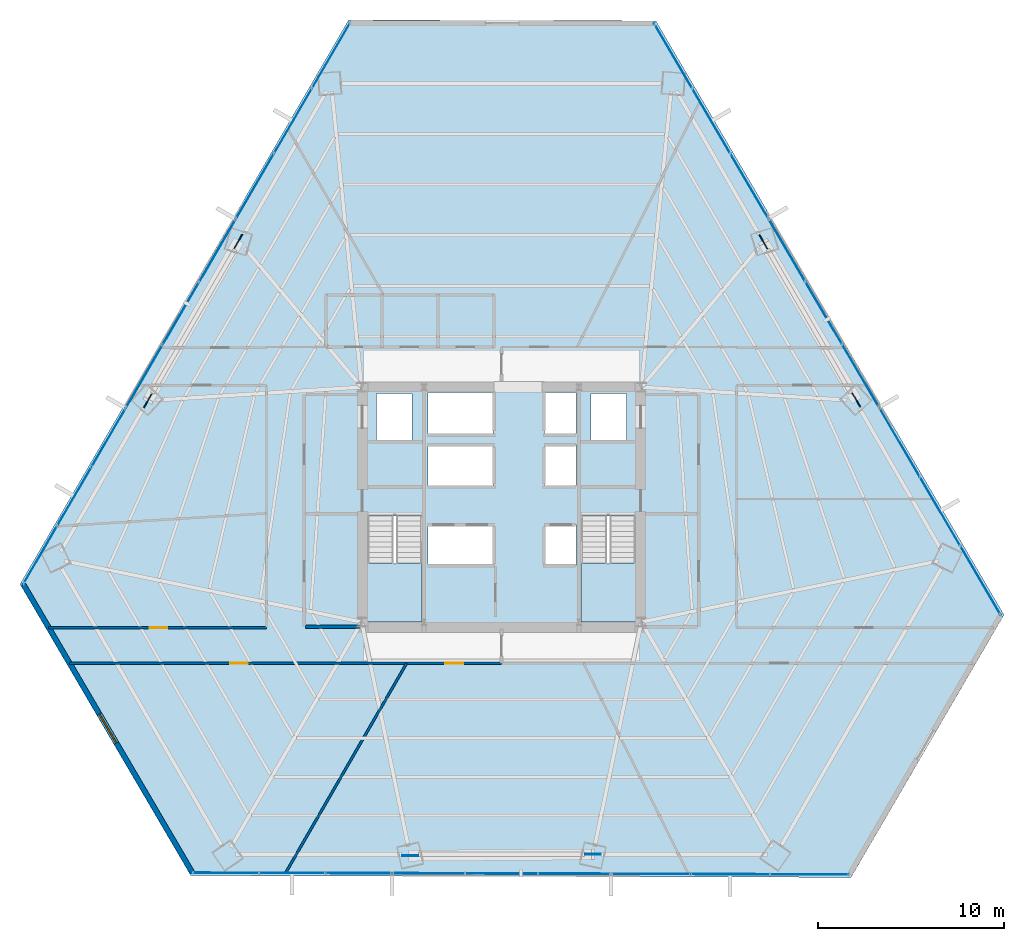
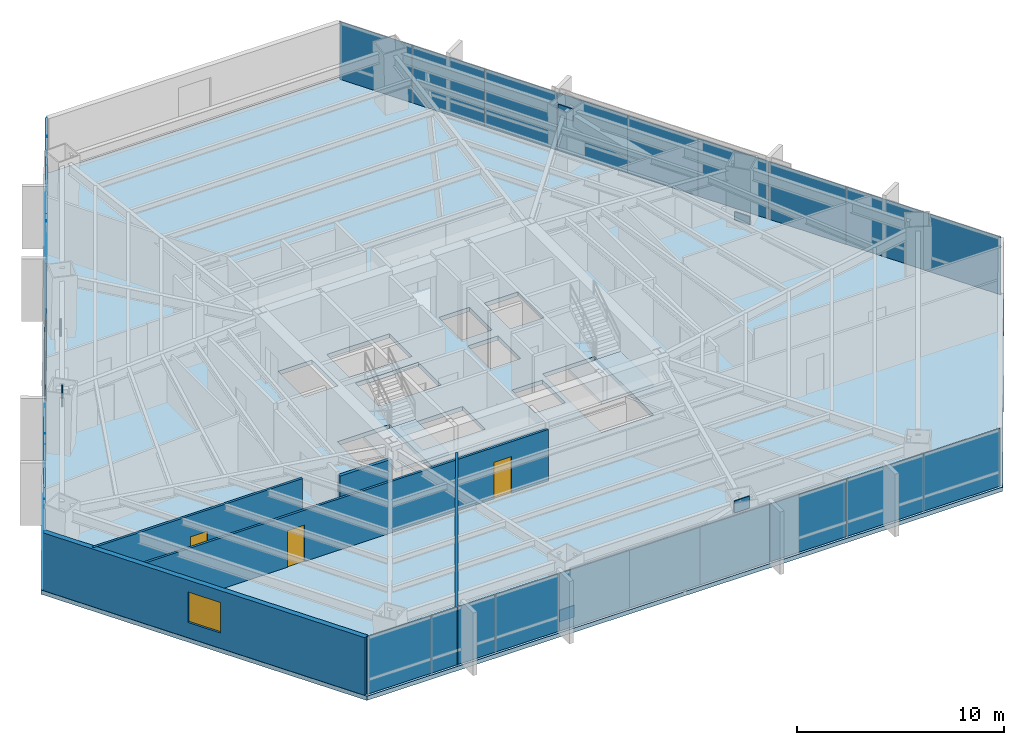
# One storey, part 23 of 29: 33 plates, 6 walls, 3 doors, 3 slabs, 1 window, 4 openings, 11 elements without a shape of their own.
"""IFC4 building model written with IfcOpenShell, lengths in metres."""

from ifc_helpers import new_model, si_unit, direction, frame, frame_2d, origin, origin_2d, place, context, subcontext, project, spatial, polyline, rectangle, outline, extrude, source, transform, mapped, material, layer, layer_set, type_object, type_shapes, element, fill, aggregate, save


model = new_model("IFC4")

# Units and contexts
model_context = context("Model", 3, precision=1e-05, world=origin(), true_north=direction((0.0, 1.0)))
body_context = subcontext(model_context, "Body", "Model", "MODEL_VIEW")
ifc_project = project(units=[si_unit("LENGTHUNIT", "METRE"), si_unit("AREAUNIT", "SQUARE_METRE"), si_unit("VOLUMEUNIT", "CUBIC_METRE"), si_unit("PLANEANGLEUNIT", "RADIAN"), si_unit("MASSUNIT", "GRAM", prefix="KILO")], contexts=[model_context])

# Site, building, storey
site_placement = place(None, origin())
site = spatial("IfcSite", under=ifc_project, at=site_placement, CompositionType="ELEMENT")
building_placement = place(site_placement, origin())
building = spatial("IfcBuilding", under=site, at=building_placement, Name="Caelisora Broadcast Tower", CompositionType="ELEMENT")
storey_placement = place(building_placement, frame((0.0, 0.0, 31.25)))
storey = spatial("IfcBuildingStorey", under=building, at=storey_placement, Name="L07", CompositionType="ELEMENT", Elevation=31.25)

# Slab
ifc_material_1 = material(Name="Concrete 40 MPa (AS 3600 N40)", Category="concrete")
ifc_layer_1 = layer(ifc_material_1, 0.25, Name="Concrete 40 MPa (AS 3600 N40)")
ifc_layer_set_1 = layer_set([ifc_layer_1], Name="Concrete 40 MPa (AS 3600 N40)")
slab_type_1 = type_object("IfcSlabType", Name="SL04", PredefinedType="FLOOR", material=ifc_layer_set_1)
slab_1_placement = place(storey_placement, frame((0.0, 0.0, -0.25)))
element("IfcSlab", 1, at=slab_1_placement, inside=storey, type_object=slab_type_1, Name="L07 suspended floor SL04", PredefinedType="FLOOR", context=body_context, shape_type="SweptSolid", body=[
    extrude(outline(polyline([(46.278076171875, 49.639892578125), (29.801025390625, 49.68505859375), (12.180908203125, 19.431884765625), (21.339111328125, 3.805908203125), (56.7470703125, 3.708984375), (64.946044921875, 17.787109375), (46.278076171875, 49.639892578125)]), holes=[polyline([(30.820068359375, 17.39990234375), (33.739990234375, 17.39990234375), (33.739990234375, 23.080078125), (30.820068359375, 23.080078125), (30.820068359375, 17.39990234375)]), polyline([(42.260009765625, 17.39990234375), (45.179931640625, 17.39990234375), (45.179931640625, 23.080078125), (42.260009765625, 23.080078125), (42.260009765625, 17.39990234375)]), polyline([(42.800048828125, 27.14990234375), (44.699951171875, 27.14990234375), (44.699951171875, 29.64990234375), (42.800048828125, 29.64990234375), (42.800048828125, 27.14990234375)]), polyline([(40.300048828125, 20.429931640625), (42.0, 20.429931640625), (42.0, 22.6298828125), (40.300048828125, 22.6298828125), (40.300048828125, 20.429931640625)]), polyline([(40.300048828125, 24.719970703125), (42.0, 24.719970703125), (42.0, 26.919921875), (40.300048828125, 26.919921875), (40.300048828125, 24.719970703125)]), polyline([(40.300048828125, 27.5), (42.0, 27.5), (42.0, 29.699951171875), (40.300048828125, 29.699951171875), (40.300048828125, 27.5)]), polyline([(34.050048828125, 20.429931640625), (37.550048828125, 20.429931640625), (37.550048828125, 22.6298828125), (34.050048828125, 22.6298828125), (34.050048828125, 20.429931640625)]), polyline([(34.050048828125, 24.719970703125), (37.550048828125, 24.719970703125), (37.550048828125, 26.919921875), (34.050048828125, 26.919921875), (34.050048828125, 24.719970703125)]), polyline([(34.050048828125, 27.5), (37.550048828125, 27.5), (37.550048828125, 29.699951171875), (34.050048828125, 29.699951171875), (34.050048828125, 27.5)]), polyline([(31.300048828125, 27.14990234375), (33.199951171875, 27.14990234375), (33.199951171875, 29.64990234375), (31.300048828125, 29.64990234375), (31.300048828125, 27.14990234375)])]), origin(), (0.0, 0.0, 1.0), 0.25),
])

# Stair, slab
stair_type_1 = type_object("IfcStairType", Name="ST-1", PredefinedType="HALF_TURN_STAIR", material=ifc_material_1)
stair_1_placement = place(storey_placement, origin())
stair_1 = element("IfcStair", 2, at=stair_1_placement, inside=storey, type_object=stair_type_1, Name="L07 West Fire-Isolated Tower Stair", PredefinedType="HALF_TURN_STAIR")
ifc_layer_2 = layer(ifc_material_1, 0.199951171875, Name="Concrete 40 MPa (AS 3600 N40)")
ifc_layer_set_2 = layer_set([ifc_layer_2], Name="Concrete 40 MPa (AS 3600 N40)")
slab_type_2 = type_object("IfcSlabType", Name="STL-1", PredefinedType="LANDING", material=ifc_layer_set_2)
slab_2_placement = place(storey_placement, frame((0.0, 0.0, 1.625)))
slab_2 = element("IfcSlab", 3, at=slab_2_placement, type_object=slab_type_2, Name="ST-1 landing 1", PredefinedType="LANDING", context=body_context, shape_type="SweptSolid", body=[
    extrude(outline(polyline([(30.820068359375, 20.580078125), (30.820068359375, 17.39990234375), (33.739990234375, 17.39990234375), (33.739990234375, 20.580078125), (30.820068359375, 20.580078125)])), origin(), (0.0, 0.0, 1.0), 0.199951171875),
])
aggregate(stair_1, [slab_2])

stair_type_2 = type_object("IfcStairType", Name="ST-2", PredefinedType="HALF_TURN_STAIR", material=ifc_material_1)
stair_2_placement = place(storey_placement, origin())
stair_2 = element("IfcStair", 4, at=stair_2_placement, inside=storey, type_object=stair_type_2, Name="L07 East Fire-Isolated Tower Stair", PredefinedType="HALF_TURN_STAIR")
slab_3_placement = place(storey_placement, frame((0.0, 0.0, 1.625)))
slab_3 = element("IfcSlab", 5, at=slab_3_placement, type_object=slab_type_2, Name="ST-2 landing 1", PredefinedType="LANDING", context=body_context, shape_type="SweptSolid", body=[
    extrude(outline(polyline([(42.260009765625, 20.580078125), (42.260009765625, 17.39990234375), (45.179931640625, 17.39990234375), (45.179931640625, 20.580078125), (42.260009765625, 20.580078125)])), origin(), (0.0, 0.0, 1.0), 0.199951171875),
])
aggregate(stair_2, [slab_3])

# Plates
ifc_material_2 = material(Name="Steel Grade 350 L15 (AS/NZS 3678)", Category="steel")
ifc_layer_3 = layer(ifc_material_2, 0.050048828125, Name="Steel Grade 350 L15 (AS/NZS 3678)")
ifc_layer_set_3 = layer_set([ifc_layer_3], Name="Steel Grade 350 L15 (AS/NZS 3678)")
plate_type_1 = type_object("IfcPlateType", Name="GP03", PredefinedType="USERDEFINED", material=ifc_layer_set_3)
shared_shape_1 = source(origin(), body_context, "Body", "SweptSolid", [
    extrude(rectangle(XDim=0.85009765625, YDim=0.050048828125, at=origin_2d()), origin(), (0.0, 0.0, 1.0), 0.699951171875),
])
type_shapes(plate_type_1, [shared_shape_1])
for number, where, z_axis, x_axis, name in (
    (6, (23.8818359375, 37.802001953125, -0.22998046875), (0.0, 0.0, 1.0), (-0.5, -0.866025403784, 0.0), "L07 gusset plate GP03 (ND-L07-C02B)"),
    (7, (19.04248046875, 29.275390625, 2.72998046875), (0.0, 0.0, 1.0), (-0.5, -0.866025403784, 0.0), "L07 gusset plate GP03 (ND-L07-C03T)"),
    (8, (33.106201171875, 4.872314453125, -0.22998046875), (0.0, 0.0, 1.0), (1.0, 0.0, 0.0), "L07 gusset plate GP03 (ND-L07-C06B)"),
    (9, (42.91015625, 4.944580078125, 2.72998046875), (0.0, 0.0, 1.0), (1.0, 0.0, 0.0), "L07 gusset plate GP03 (ND-L07-C07T)"),
    (10, (57.011962890625, 29.32568359375, -0.22998046875), (0.0, 0.0, 1.0), (-0.5, 0.866025403784, 0.0), "L07 gusset plate GP03 (ND-L07-C10B)"),
    (11, (52.04736328125, 37.780029296875, 2.72998046875), (0.0, 0.0, 1.0), (-0.5, 0.866025403784, 0.0), "L07 gusset plate GP03 (ND-L07-C11T)"),
):
    element("IfcPlate", number, at=place(storey_placement, frame(where, z_axis=z_axis, x_axis=x_axis)), inside=storey, type_object=plate_type_1, Name=name, ObjectType="GUSSET PLATE", PredefinedType="USERDEFINED", context=body_context, shape_type="MappedRepresentation", body=[
        mapped(shared_shape_1, transform((0.0, 0.0, 0.0), scale=1.0)),
    ])

# Curtain wall, plates
ifc_material_3 = material(Name="Unitised Aluminium and Low-E Glass Curtain Wall", Category="glass")
curtain_wall_type_1 = type_object("IfcCurtainWallType", Name="CW-Z1", PredefinedType="NOTDEFINED", material=ifc_material_3)
curtain_wall_1_placement = place(storey_placement, origin())
curtain_wall_1 = element("IfcCurtainWall", 12, at=curtain_wall_1_placement, inside=storey, type_object=curtain_wall_type_1, Name="L07 curtain wall CW-Z1", PredefinedType="NOTDEFINED")
ifc_material_4 = material(Name="Double Glazed Low-E Argon IGU", Category="glass")
ifc_layer_4 = layer(ifc_material_4, 0.035888671875, Name="Double Glazed Low-E Argon IGU")
ifc_layer_set_4 = layer_set([ifc_layer_4], Name="Double Glazed Low-E Argon IGU")
plate_type_2 = type_object("IfcPlateType", Name="CWP-02", PredefinedType="CURTAIN_PANEL", material=ifc_layer_set_4)
shared_shape_2 = source(origin(), body_context, "Body", "SweptSolid", [
    extrude(rectangle(XDim=4.033447265625, YDim=0.035888671875, at=origin_2d()), origin(), (0.0, 0.0, 1.0), 3.39990234375),
])
plate_1_placement = place(storey_placement, frame((47.211669921875, 47.75, 0.0), z_axis=(0.0, 0.0, 1.0), x_axis=(0.505582083675, -0.862778509623, 0.0)))
plate_1 = element("IfcPlate", 13, at=plate_1_placement, type_object=plate_type_2, Name="L07-CW-B01 glazed panel #1", PredefinedType="CURTAIN_PANEL", context=body_context, shape_type="MappedRepresentation", body=[
    mapped(shared_shape_2, transform((0.0, 0.0, 0.0), scale=1.0)),
])
plate_2_placement = place(storey_placement, frame((49.251220703125, 44.270263671875, 0.0), z_axis=(0.0, 0.0, 1.0), x_axis=(0.505582083675, -0.862778509623, 0.0)))
plate_2 = element("IfcPlate", 14, at=plate_2_placement, type_object=plate_type_2, Name="L07-CW-B01 glazed panel #2", PredefinedType="CURTAIN_PANEL", context=body_context, shape_type="MappedRepresentation", body=[
    mapped(shared_shape_2, transform((0.0, 0.0, 0.0), scale=1.0)),
])
plate_3_placement = place(storey_placement, frame((51.29052734375, 40.790283203125, 0.0), z_axis=(0.0, 0.0, 1.0), x_axis=(0.505582083675, -0.862778509623, 0.0)))
plate_3 = element("IfcPlate", 15, at=plate_3_placement, type_object=plate_type_2, Name="L07-CW-B01 glazed panel #3", PredefinedType="CURTAIN_PANEL", context=body_context, shape_type="MappedRepresentation", body=[
    mapped(shared_shape_2, transform((0.0, 0.0, 0.0), scale=1.0)),
])
aggregate(curtain_wall_1, [plate_1, plate_2, plate_3])

ifc_material_5 = material(Name="Unitised Aluminium Insulated Shadow-Box Spandrel Curtain Wall", Category="aluminium")
curtain_wall_type_2 = type_object("IfcCurtainWallType", Name="CW-SP1", PredefinedType="NOTDEFINED", material=ifc_material_5)
curtain_wall_2_placement = place(storey_placement, origin())
curtain_wall_2 = element("IfcCurtainWall", 16, at=curtain_wall_2_placement, inside=storey, type_object=curtain_wall_type_2, Name="L07 curtain wall CW-SP1", PredefinedType="NOTDEFINED")
ifc_material_6 = material(Name="Insulated Terracotta Shadow-Box Spandrel Panel", Category="aluminium")
ifc_layer_5 = layer(ifc_material_6, 0.0439453125, Name="Insulated Terracotta Shadow-Box Spandrel Panel")
ifc_layer_set_5 = layer_set([ifc_layer_5], Name="Insulated Terracotta Shadow-Box Spandrel Panel")
plate_type_3 = type_object("IfcPlateType", Name="CWP-10", PredefinedType="CURTAIN_PANEL", material=ifc_layer_set_5)
shared_shape_3 = source(origin(), body_context, "Body", "SweptSolid", [
    extrude(rectangle(XDim=3.9091796875, YDim=0.0439453125, at=origin_2d()), origin(), (0.0, 0.0, 1.0), 3.39990234375),
])
type_shapes(plate_type_3, [shared_shape_3])
plate_4_placement = place(storey_placement, frame((53.3037109375, 37.35546875, 0.0), z_axis=(0.0, 0.0, 1.0), x_axis=(0.505582083675, -0.862778509623, 0.0)))
plate_4 = element("IfcPlate", 17, at=plate_4_placement, type_object=plate_type_3, Name="L07-CW-B02 spandrel panel #1", PredefinedType="CURTAIN_PANEL", context=body_context, shape_type="MappedRepresentation", body=[
    mapped(shared_shape_3, transform((0.0, 0.0, 0.0), scale=1.0)),
])
plate_5_placement = place(storey_placement, frame((55.2802734375, 33.98291015625, 0.0), z_axis=(0.0, 0.0, 1.0), x_axis=(0.505582083675, -0.862778509623, 0.0)))
plate_5 = element("IfcPlate", 18, at=plate_5_placement, type_object=plate_type_3, Name="L07-CW-B02 spandrel panel #2", PredefinedType="CURTAIN_PANEL", context=body_context, shape_type="MappedRepresentation", body=[
    mapped(shared_shape_3, transform((0.0, 0.0, 0.0), scale=1.0)),
])
plate_6_placement = place(storey_placement, frame((57.256591796875, 30.6103515625, 0.0), z_axis=(0.0, 0.0, 1.0), x_axis=(0.505582083675, -0.862778509623, 0.0)))
plate_6 = element("IfcPlate", 19, at=plate_6_placement, type_object=plate_type_3, Name="L07-CW-B02 spandrel panel #3", PredefinedType="CURTAIN_PANEL", context=body_context, shape_type="MappedRepresentation", body=[
    mapped(shared_shape_3, transform((0.0, 0.0, 0.0), scale=1.0)),
])
aggregate(curtain_wall_2, [plate_4, plate_5, plate_6])

curtain_wall_3_placement = place(storey_placement, origin())
curtain_wall_3 = element("IfcCurtainWall", 20, at=curtain_wall_3_placement, inside=storey, type_object=curtain_wall_type_2, Name="L07 curtain wall CW-SP1", PredefinedType="NOTDEFINED")
plate_7_placement = place(storey_placement, frame((41.906494140625, 3.899658203125, 0.0), z_axis=(0.0, 0.0, 1.0), x_axis=(-0.9999961009, 0.002792523174, 0.0)))
plate_7 = element("IfcPlate", 21, at=plate_7_placement, type_object=plate_type_3, Name="L07-CW-B06 spandrel panel #1", PredefinedType="CURTAIN_PANEL", context=body_context, shape_type="MappedRepresentation", body=[
    mapped(shared_shape_3, transform((0.0, 0.0, 0.0), scale=1.0)),
])
plate_8_placement = place(storey_placement, frame((37.997314453125, 3.910400390625, 0.0), z_axis=(0.0, 0.0, 1.0), x_axis=(-0.9999961009, 0.002792523174, 0.0)))
plate_8 = element("IfcPlate", 22, at=plate_8_placement, type_object=plate_type_3, Name="L07-CW-B06 spandrel panel #2", PredefinedType="CURTAIN_PANEL", context=body_context, shape_type="MappedRepresentation", body=[
    mapped(shared_shape_3, transform((0.0, 0.0, 0.0), scale=1.0)),
])
plate_9_placement = place(storey_placement, frame((34.088134765625, 3.921142578125, 0.0), z_axis=(0.0, 0.0, 1.0), x_axis=(-0.9999961009, 0.002792523174, 0.0)))
plate_9 = element("IfcPlate", 23, at=plate_9_placement, type_object=plate_type_3, Name="L07-CW-B06 spandrel panel #3", PredefinedType="CURTAIN_PANEL", context=body_context, shape_type="MappedRepresentation", body=[
    mapped(shared_shape_3, transform((0.0, 0.0, 0.0), scale=1.0)),
])
aggregate(curtain_wall_3, [plate_7, plate_8, plate_9])

curtain_wall_4_placement = place(storey_placement, origin())
curtain_wall_4 = element("IfcCurtainWall", 24, at=curtain_wall_4_placement, inside=storey, type_object=curtain_wall_type_2, Name="L07 curtain wall CW-SP1", PredefinedType="NOTDEFINED")
plate_10_placement = place(storey_placement, frame((18.833251953125, 30.555419921875, 0.0), z_axis=(0.0, 0.0, 1.0), x_axis=(0.503321604797, 0.864099162217, 0.0)))
plate_10 = element("IfcPlate", 25, at=plate_10_placement, type_object=plate_type_3, Name="L07-CW-B10 spandrel panel #1", PredefinedType="CURTAIN_PANEL", context=body_context, shape_type="MappedRepresentation", body=[
    mapped(shared_shape_3, transform((0.0, 0.0, 0.0), scale=1.0)),
])
plate_11_placement = place(storey_placement, frame((20.800537109375, 33.933349609375, 0.0), z_axis=(0.0, 0.0, 1.0), x_axis=(0.503321604797, 0.864099162217, 0.0)))
plate_11 = element("IfcPlate", 26, at=plate_11_placement, type_object=plate_type_3, Name="L07-CW-B10 spandrel panel #2", PredefinedType="CURTAIN_PANEL", context=body_context, shape_type="MappedRepresentation", body=[
    mapped(shared_shape_3, transform((0.0, 0.0, 0.0), scale=1.0)),
])
plate_12_placement = place(storey_placement, frame((22.767822265625, 37.311279296875, 0.0), z_axis=(0.0, 0.0, 1.0), x_axis=(0.503321604797, 0.864099162217, 0.0)))
plate_12 = element("IfcPlate", 27, at=plate_12_placement, type_object=plate_type_3, Name="L07-CW-B10 spandrel panel #3", PredefinedType="CURTAIN_PANEL", context=body_context, shape_type="MappedRepresentation", body=[
    mapped(shared_shape_3, transform((0.0, 0.0, 0.0), scale=1.0)),
])
aggregate(curtain_wall_4, [plate_10, plate_11, plate_12])

curtain_wall_5_placement = place(storey_placement, origin())
curtain_wall_5 = element("IfcCurtainWall", 28, at=curtain_wall_5_placement, inside=storey, type_object=curtain_wall_type_1, Name="L07 curtain wall CW-Z1", PredefinedType="NOTDEFINED")
shared_shape_4 = source(origin(), body_context, "Body", "SweptSolid", [
    extrude(rectangle(XDim=4.299560546875, YDim=0.035888671875, at=origin_2d()), origin(), (0.0, 0.0, 1.0), 3.39990234375),
])
plate_13_placement = place(storey_placement, frame((59.3369140625, 27.060546875, 0.0), z_axis=(0.0, 0.0, 1.0), x_axis=(0.505582083675, -0.862778509623, 0.0)))
plate_13 = element("IfcPlate", 29, at=plate_13_placement, type_object=plate_type_2, Name="L07-CW-B03 glazed panel #1", PredefinedType="CURTAIN_PANEL", context=body_context, shape_type="MappedRepresentation", body=[
    mapped(shared_shape_4, transform((0.0, 0.0, 0.0), scale=1.0)),
])
plate_14_placement = place(storey_placement, frame((61.510986328125, 23.351318359375, 0.0), z_axis=(0.0, 0.0, 1.0), x_axis=(0.505582083675, -0.862778509623, 0.0)))
plate_14 = element("IfcPlate", 30, at=plate_14_placement, type_object=plate_type_2, Name="L07-CW-B03 glazed panel #2", PredefinedType="CURTAIN_PANEL", context=body_context, shape_type="MappedRepresentation", body=[
    mapped(shared_shape_4, transform((0.0, 0.0, 0.0), scale=1.0)),
])
plate_15_placement = place(storey_placement, frame((63.68505859375, 19.6416015625, 0.0), z_axis=(0.0, 0.0, 1.0), x_axis=(0.505582083675, -0.862778509623, 0.0)))
plate_15 = element("IfcPlate", 31, at=plate_15_placement, type_object=plate_type_2, Name="L07-CW-B03 glazed panel #3", PredefinedType="CURTAIN_PANEL", context=body_context, shape_type="MappedRepresentation", body=[
    mapped(shared_shape_4, transform((0.0, 0.0, 0.0), scale=1.0)),
])
aggregate(curtain_wall_5, [plate_13, plate_14, plate_15])

curtain_wall_6_placement = place(storey_placement, origin())
curtain_wall_6 = element("IfcCurtainWall", 32, at=curtain_wall_6_placement, inside=storey, type_object=curtain_wall_type_1, Name="L07 curtain wall CW-Z1", PredefinedType="NOTDEFINED")
shared_shape_5 = source(origin(), body_context, "Body", "SweptSolid", [
    extrude(rectangle(XDim=4.26318359375, YDim=0.035888671875, at=origin_2d()), origin(), (0.0, 0.0, 1.0), 3.39990234375),
])
plate_16_placement = place(storey_placement, frame((54.529296875, 3.864990234375, 0.0), z_axis=(0.0, 0.0, 1.0), x_axis=(-0.9999961009, 0.002792523174, 0.0)))
plate_16 = element("IfcPlate", 33, at=plate_16_placement, type_object=plate_type_2, Name="L07-CW-B05 glazed panel #1", PredefinedType="CURTAIN_PANEL", context=body_context, shape_type="MappedRepresentation", body=[
    mapped(shared_shape_5, transform((0.0, 0.0, 0.0), scale=1.0)),
])
plate_17_placement = place(storey_placement, frame((50.26611328125, 3.876708984375, 0.0), z_axis=(0.0, 0.0, 1.0), x_axis=(-0.9999961009, 0.002792523174, 0.0)))
plate_17 = element("IfcPlate", 34, at=plate_17_placement, type_object=plate_type_2, Name="L07-CW-B05 glazed panel #2", PredefinedType="CURTAIN_PANEL", context=body_context, shape_type="MappedRepresentation", body=[
    mapped(shared_shape_5, transform((0.0, 0.0, 0.0), scale=1.0)),
])
plate_18_placement = place(storey_placement, frame((46.002685546875, 3.88818359375, 0.0), z_axis=(0.0, 0.0, 1.0), x_axis=(-0.9999961009, 0.002792523174, 0.0)))
plate_18 = element("IfcPlate", 35, at=plate_18_placement, type_object=plate_type_2, Name="L07-CW-B05 glazed panel #3", PredefinedType="CURTAIN_PANEL", context=body_context, shape_type="MappedRepresentation", body=[
    mapped(shared_shape_5, transform((0.0, 0.0, 0.0), scale=1.0)),
])
aggregate(curtain_wall_6, [plate_16, plate_17, plate_18])

curtain_wall_7_placement = place(storey_placement, origin())
curtain_wall_7 = element("IfcCurtainWall", 36, at=curtain_wall_7_placement, inside=storey, type_object=curtain_wall_type_1, Name="L07 curtain wall CW-Z1", PredefinedType="NOTDEFINED")
shared_shape_6 = source(origin(), body_context, "Body", "SweptSolid", [
    extrude(rectangle(XDim=3.566162109375, YDim=0.035888671875, at=origin_2d()), origin(), (0.0, 0.0, 1.0), 3.39990234375),
])
plate_19_placement = place(storey_placement, frame((30.340576171875, 3.931396484375, 0.0), z_axis=(0.0, 0.0, 1.0), x_axis=(-0.9999961009, 0.002792523174, 0.0)))
plate_19 = element("IfcPlate", 37, at=plate_19_placement, type_object=plate_type_2, Name="L07-CW-B07 glazed panel #1", PredefinedType="CURTAIN_PANEL", context=body_context, shape_type="MappedRepresentation", body=[
    mapped(shared_shape_6, transform((0.0, 0.0, 0.0), scale=1.0)),
])
plate_20_placement = place(storey_placement, frame((26.7744140625, 3.94140625, 0.0), z_axis=(0.0, 0.0, 1.0), x_axis=(-0.9999961009, 0.002792523174, 0.0)))
plate_20 = element("IfcPlate", 38, at=plate_20_placement, type_object=plate_type_2, Name="L07-CW-B07 glazed panel #2", PredefinedType="CURTAIN_PANEL", context=body_context, shape_type="MappedRepresentation", body=[
    mapped(shared_shape_6, transform((0.0, 0.0, 0.0), scale=1.0)),
])
plate_21_placement = place(storey_placement, frame((23.2080078125, 3.951171875, 0.0), z_axis=(0.0, 0.0, 1.0), x_axis=(-0.9999961009, 0.002792523174, 0.0)))
plate_21 = element("IfcPlate", 39, at=plate_21_placement, type_object=plate_type_2, Name="L07-CW-B07 glazed panel #3", PredefinedType="CURTAIN_PANEL", context=body_context, shape_type="MappedRepresentation", body=[
    mapped(shared_shape_6, transform((0.0, 0.0, 0.0), scale=1.0)),
])
aggregate(curtain_wall_7, [plate_19, plate_20, plate_21])

curtain_wall_8_placement = place(storey_placement, origin())
curtain_wall_8 = element("IfcCurtainWall", 40, at=curtain_wall_8_placement, inside=storey, type_object=curtain_wall_type_1, Name="L07 curtain wall CW-Z1", PredefinedType="NOTDEFINED")
shared_shape_7 = source(origin(), body_context, "Body", "SweptSolid", [
    extrude(rectangle(XDim=3.635986328125, YDim=0.035888671875, at=origin_2d()), origin(), (0.0, 0.0, 1.0), 3.39990234375),
])
plate_22_placement = place(storey_placement, frame((13.27001953125, 21.0029296875, 0.0), z_axis=(0.0, 0.0, 1.0), x_axis=(0.503321604797, 0.864099162217, 0.0)))
plate_22 = element("IfcPlate", 41, at=plate_22_placement, type_object=plate_type_2, Name="L07-CW-B09 glazed panel #1", PredefinedType="CURTAIN_PANEL", context=body_context, shape_type="MappedRepresentation", body=[
    mapped(shared_shape_7, transform((0.0, 0.0, 0.0), scale=1.0)),
])
plate_23_placement = place(storey_placement, frame((15.099609375, 24.144775390625, 0.0), z_axis=(0.0, 0.0, 1.0), x_axis=(0.503321604797, 0.864099162217, 0.0)))
plate_23 = element("IfcPlate", 42, at=plate_23_placement, type_object=plate_type_2, Name="L07-CW-B09 glazed panel #2", PredefinedType="CURTAIN_PANEL", context=body_context, shape_type="MappedRepresentation", body=[
    mapped(shared_shape_7, transform((0.0, 0.0, 0.0), scale=1.0)),
])
plate_24_placement = place(storey_placement, frame((16.9296875, 27.28662109375, 0.0), z_axis=(0.0, 0.0, 1.0), x_axis=(0.503321604797, 0.864099162217, 0.0)))
plate_24 = element("IfcPlate", 43, at=plate_24_placement, type_object=plate_type_2, Name="L07-CW-B09 glazed panel #3", PredefinedType="CURTAIN_PANEL", context=body_context, shape_type="MappedRepresentation", body=[
    mapped(shared_shape_7, transform((0.0, 0.0, 0.0), scale=1.0)),
])
aggregate(curtain_wall_8, [plate_22, plate_23, plate_24])

curtain_wall_9_placement = place(storey_placement, origin())
curtain_wall_9 = element("IfcCurtainWall", 44, at=curtain_wall_9_placement, inside=storey, type_object=curtain_wall_type_1, Name="L07 curtain wall CW-Z1", PredefinedType="NOTDEFINED")
shared_shape_8 = source(origin(), body_context, "Body", "SweptSolid", [
    extrude(rectangle(XDim=4.060302734375, YDim=0.035888671875, at=origin_2d()), origin(), (0.0, 0.0, 1.0), 3.39990234375),
])
type_shapes(plate_type_2, [shared_shape_2, shared_shape_4, shared_shape_5, shared_shape_6, shared_shape_7, shared_shape_8])
plate_25_placement = place(storey_placement, frame((24.7783203125, 40.76318359375, 0.0), z_axis=(0.0, 0.0, 1.0), x_axis=(0.503321604797, 0.864099162217, 0.0)))
plate_25 = element("IfcPlate", 45, at=plate_25_placement, type_object=plate_type_2, Name="L07-CW-B11 glazed panel #1", PredefinedType="CURTAIN_PANEL", context=body_context, shape_type="MappedRepresentation", body=[
    mapped(shared_shape_8, transform((0.0, 0.0, 0.0), scale=1.0)),
])
plate_26_placement = place(storey_placement, frame((26.82177734375, 44.27197265625, 0.0), z_axis=(0.0, 0.0, 1.0), x_axis=(0.503321604797, 0.864099162217, 0.0)))
plate_26 = element("IfcPlate", 46, at=plate_26_placement, type_object=plate_type_2, Name="L07-CW-B11 glazed panel #2", PredefinedType="CURTAIN_PANEL", context=body_context, shape_type="MappedRepresentation", body=[
    mapped(shared_shape_8, transform((0.0, 0.0, 0.0), scale=1.0)),
])
plate_27_placement = place(storey_placement, frame((28.865234375, 47.78076171875, 0.0), z_axis=(0.0, 0.0, 1.0), x_axis=(0.503321604797, 0.864099162217, 0.0)))
plate_27 = element("IfcPlate", 47, at=plate_27_placement, type_object=plate_type_2, Name="L07-CW-B11 glazed panel #3", PredefinedType="CURTAIN_PANEL", context=body_context, shape_type="MappedRepresentation", body=[
    mapped(shared_shape_8, transform((0.0, 0.0, 0.0), scale=1.0)),
])
aggregate(curtain_wall_9, [plate_25, plate_26, plate_27])

# Wall, opening, window
ifc_material_7 = material(Name="Insulated Terracotta Spandrel Wall System", Category="masonry")
ifc_layer_6 = layer(ifc_material_7, 0.280029296875, Name="Insulated Terracotta Spandrel Wall System")
ifc_layer_set_6 = layer_set([ifc_layer_6], Name="Insulated Terracotta Spandrel Wall System")
wall_type_1 = type_object("IfcWallType", Name="EW1", PredefinedType="STANDARD", material=ifc_layer_set_6)
wall_1_placement = place(storey_placement, frame((21.409912109375, 3.98193359375, 0.0), z_axis=(0.0, 0.0, 1.0), x_axis=(-0.505640292847, 0.862744396823, 0.0)))
wall_1 = element("IfcWall", 48, at=wall_1_placement, inside=storey, type_object=wall_type_1, Name="L07 exterior envelope wall EW1", PredefinedType="STANDARD", context=body_context, shape_type="SweptSolid", body=[
    extrude(rectangle(XDim=17.8779296875, YDim=0.280029296875, at=frame_2d((8.93896484375, 0.0))), origin(), (0.0, 0.0, 1.0), 3.39990234375),
])
opening_1_placement = place(wall_1_placement, frame((8.0400390625, 0.0, 0.89990234375)))
opening_1 = element("IfcOpeningElement", 49, at=opening_1_placement, cuts=wall_1, Name="Opening W01", PredefinedType="OPENING", context=body_context, shape_type="SweptSolid", body=[
    extrude(rectangle(XDim=1.800048828125, YDim=1.800048828125, at=frame_2d((0.89990234375, 0.89990234375))), frame((0.0, 0.152099609375, 0.0), z_axis=(0.0, -1.0, 0.0), x_axis=(1.0, 0.0, 0.0)), (0.0, 0.0, 1.0), 0.303955078125),
])
ifc_material_8 = material(Name="Double Glazed Terracotta-Framed Vision Window", Category="glass")
window_type = type_object("IfcWindowType", Name="W01", PartitioningType="SINGLE_PANEL", PredefinedType="WINDOW", material=ifc_material_8)
window_placement = place(opening_1_placement, origin())
window = element("IfcWindow", 50, at=window_placement, inside=storey, type_object=window_type, Name="L07 window W01 (L07-WN-CH4)", OverallHeight=1.800048828125, OverallWidth=1.800048828125, PartitioningType="SINGLE_PANEL", PredefinedType="WINDOW", context=body_context, shape_type="SweptSolid", body=[
    extrude(rectangle(XDim=1.800048828125, YDim=1.800048828125, at=frame_2d((0.89990234375, 0.89990234375))), frame((0.0, 0.030029296875, 0.0), z_axis=(0.0, -1.0, 0.0), x_axis=(1.0, 0.0, 0.0)), (0.0, 0.0, 1.0), 0.06005859375),
])
fill(opening_1, window)

# Wall
ifc_material_9 = material(Name="Fire-Rated Gypsum Shaft and Compartment Wall", Category="gypsum")
ifc_layer_7 = layer(ifc_material_9, 0.179931640625, Name="Fire-Rated Gypsum Shaft and Compartment Wall")
ifc_layer_set_7 = layer_set([ifc_layer_7], Name="Fire-Rated Gypsum Shaft and Compartment Wall")
wall_type_2 = type_object("IfcWallType", Name="PW2", PredefinedType="PARTITIONING", material=ifc_layer_set_7)
wall_2_placement = place(storey_placement, frame((27.47998046875, 17.14990234375, 0.0), z_axis=(0.0, 0.0, 1.0), x_axis=(1.0, 0.0, 0.0)))
element("IfcWall", 51, at=wall_2_placement, inside=storey, type_object=wall_type_2, Name="L07 fire compartment wall PW2", PredefinedType="PARTITIONING", context=body_context, shape_type="SweptSolid", body=[
    extrude(rectangle(XDim=2.89990234375, YDim=0.179931640625, at=frame_2d((1.449951171875, 0.0))), origin(), (0.0, 0.0, 1.0), 2.78271484375),
])

# Wall, opening, door
ifc_material_10 = material(Name="Acoustic Steel-Stud Plasterboard Partition", Category="gypsum")
ifc_layer_8 = layer(ifc_material_10, 0.1298828125, Name="Acoustic Steel-Stud Plasterboard Partition")
ifc_layer_set_8 = layer_set([ifc_layer_8], Name="Acoustic Steel-Stud Plasterboard Partition")
wall_type_3 = type_object("IfcWallType", Name="PW3", PredefinedType="PARTITIONING", material=ifc_layer_set_8)
wall_3_placement = place(storey_placement, frame((14.829345703125, 15.199951171875, 0.0), z_axis=(0.0, 0.0, 1.0), x_axis=(1.0, 0.0, 0.0)))
wall_3 = element("IfcWall", 52, at=wall_3_placement, inside=storey, type_object=wall_type_3, Name="L07 internal partition PW3", PredefinedType="PARTITIONING", context=body_context, shape_type="SweptSolid", body=[
    extrude(rectangle(XDim=18.085693359375, YDim=0.1298828125, at=frame_2d((9.04296875, 0.0))), origin(), (0.0, 0.0, 1.0), 3.0263671875),
])
opening_2_placement = place(wall_3_placement, frame((8.616943359375, 0.0, 0.0)))
opening_2 = element("IfcOpeningElement", 53, at=opening_2_placement, cuts=wall_3, Name="Opening D01", PredefinedType="OPENING", context=body_context, shape_type="SweptSolid", body=[
    extrude(rectangle(XDim=0.9599609375, YDim=2.14990234375, at=frame_2d((0.47998046875, 1.074951171875))), frame((0.0, 0.076904296875, 0.0), z_axis=(0.0, -1.0, 0.0), x_axis=(1.0, 0.0, 0.0)), (0.0, 0.0, 1.0), 0.15380859375),
])
ifc_material_11 = material(Name="Solid-Core Timber Acoustic Office Door", Category="wood")
door_type = type_object("IfcDoorType", Name="D01", OperationType="NOTDEFINED", PredefinedType="DOOR", material=ifc_material_11)
door_1_placement = place(opening_2_placement, origin())
door_1 = element("IfcDoor", 54, at=door_1_placement, inside=storey, type_object=door_type, Name="L07 door D01 (L07-DR-P27D1)", OperationType="SINGLE_SWING_RIGHT", OverallHeight=2.14990234375, OverallWidth=0.9599609375, PredefinedType="DOOR", context=body_context, shape_type="SweptSolid", body=[
    extrude(rectangle(XDim=0.9599609375, YDim=2.14990234375, at=frame_2d((0.47998046875, 1.074951171875))), frame((0.0, 0.02490234375, 0.0), z_axis=(0.0, -1.0, 0.0), x_axis=(1.0, 0.0, 0.0)), (0.0, 0.0, 1.0), 0.050048828125),
])
fill(opening_2, door_1)

# Wall
wall_4_placement = place(storey_placement, frame((26.416015625, 3.93701171875, 0.0), z_axis=(0.0, 0.0, 1.0), x_axis=(0.500032922545, 0.86600639511, 0.0)))
element("IfcWall", 55, at=wall_4_placement, inside=storey, type_object=wall_type_3, Name="L07 internal partition PW3", PredefinedType="PARTITIONING", context=body_context, shape_type="SweptSolid", body=[
    extrude(rectangle(XDim=13.0009765625, YDim=0.1298828125, at=frame_2d((6.50048828125, 0.0))), origin(), (0.0, 0.0, 1.0), 3.39990234375),
])

# Wall, opening, door
wall_5_placement = place(storey_placement, frame((13.7158203125, 17.10009765625, 0.0), z_axis=(0.0, 0.0, 1.0), x_axis=(1.0, 0.0, 0.0)))
wall_5 = element("IfcWall", 56, at=wall_5_placement, inside=storey, type_object=wall_type_3, Name="L07 internal partition PW3", PredefinedType="PARTITIONING", context=body_context, shape_type="SweptSolid", body=[
    extrude(rectangle(XDim=11.67919921875, YDim=0.1298828125, at=frame_2d((5.839599609375, 0.0))), origin(), (0.0, 0.0, 1.0), 3.39990234375),
])
opening_3_placement = place(wall_5_placement, frame((5.412109375, 0.0, 0.0)))
opening_3 = element("IfcOpeningElement", 57, at=opening_3_placement, cuts=wall_5, Name="Opening D01", PredefinedType="OPENING", context=body_context, shape_type="SweptSolid", body=[
    extrude(rectangle(XDim=0.9599609375, YDim=2.14990234375, at=frame_2d((0.47998046875, 1.074951171875))), frame((0.0, 0.076904296875, 0.0), z_axis=(0.0, -1.0, 0.0), x_axis=(1.0, 0.0, 0.0)), (0.0, 0.0, 1.0), 0.15380859375),
])
door_2_placement = place(opening_3_placement, origin())
door_2 = element("IfcDoor", 58, at=door_2_placement, inside=storey, type_object=door_type, Name="L07 door D01 (L07-DR-P32D1)", OperationType="SINGLE_SWING_RIGHT", OverallHeight=2.14990234375, OverallWidth=0.9599609375, PredefinedType="DOOR", context=body_context, shape_type="SweptSolid", body=[
    extrude(rectangle(XDim=0.9599609375, YDim=2.14990234375, at=frame_2d((0.47998046875, 1.074951171875))), frame((0.0, 0.02490234375, 0.0), z_axis=(0.0, -1.0, 0.0), x_axis=(1.0, 0.0, 0.0)), (0.0, 0.0, 1.0), 0.050048828125),
])
fill(opening_3, door_2)

wall_6_placement = place(storey_placement, frame((32.925048828125, 15.199951171875, 0.0), z_axis=(0.0, 0.0, 1.0), x_axis=(1.0, 0.0, 0.0)))
wall_6 = element("IfcWall", 59, at=wall_6_placement, inside=storey, type_object=wall_type_3, Name="L07 internal partition PW3", PredefinedType="PARTITIONING", context=body_context, shape_type="SweptSolid", body=[
    extrude(rectangle(XDim=5.070068359375, YDim=0.1298828125, at=frame_2d((2.53515625, 0.0))), origin(), (0.0, 0.0, 1.0), 3.0263671875),
])
opening_4_placement = place(wall_6_placement, frame((2.054931640625, 0.0, 0.0)))
opening_4 = element("IfcOpeningElement", 60, at=opening_4_placement, cuts=wall_6, Name="Opening D01", PredefinedType="OPENING", context=body_context, shape_type="SweptSolid", body=[
    extrude(rectangle(XDim=0.9599609375, YDim=2.14990234375, at=frame_2d((0.47998046875, 1.074951171875))), frame((0.0, 0.076904296875, 0.0), z_axis=(0.0, -1.0, 0.0), x_axis=(1.0, 0.0, 0.0)), (0.0, 0.0, 1.0), 0.15380859375),
])
door_3_placement = place(opening_4_placement, origin())
door_3 = element("IfcDoor", 61, at=door_3_placement, inside=storey, type_object=door_type, Name="L07 door D01 (L07-DR-P45D1)", OperationType="SINGLE_SWING_LEFT", OverallHeight=2.14990234375, OverallWidth=0.9599609375, PredefinedType="DOOR", context=body_context, shape_type="SweptSolid", body=[
    extrude(rectangle(XDim=0.9599609375, YDim=2.14990234375, at=frame_2d((0.47998046875, 1.074951171875))), frame((0.0, 0.02490234375, 0.0), z_axis=(0.0, -1.0, 0.0), x_axis=(1.0, 0.0, 0.0)), (0.0, 0.0, 1.0), 0.050048828125),
])
fill(opening_4, door_3)

save(model, "model.ifc")
